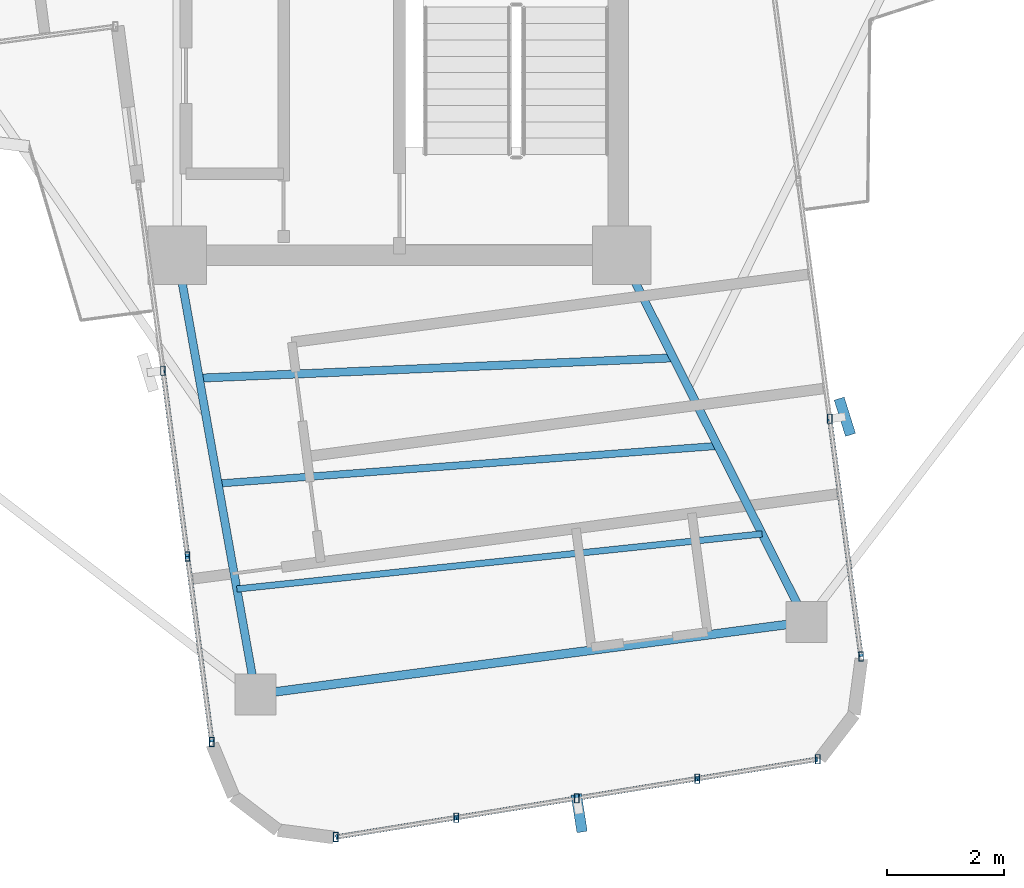
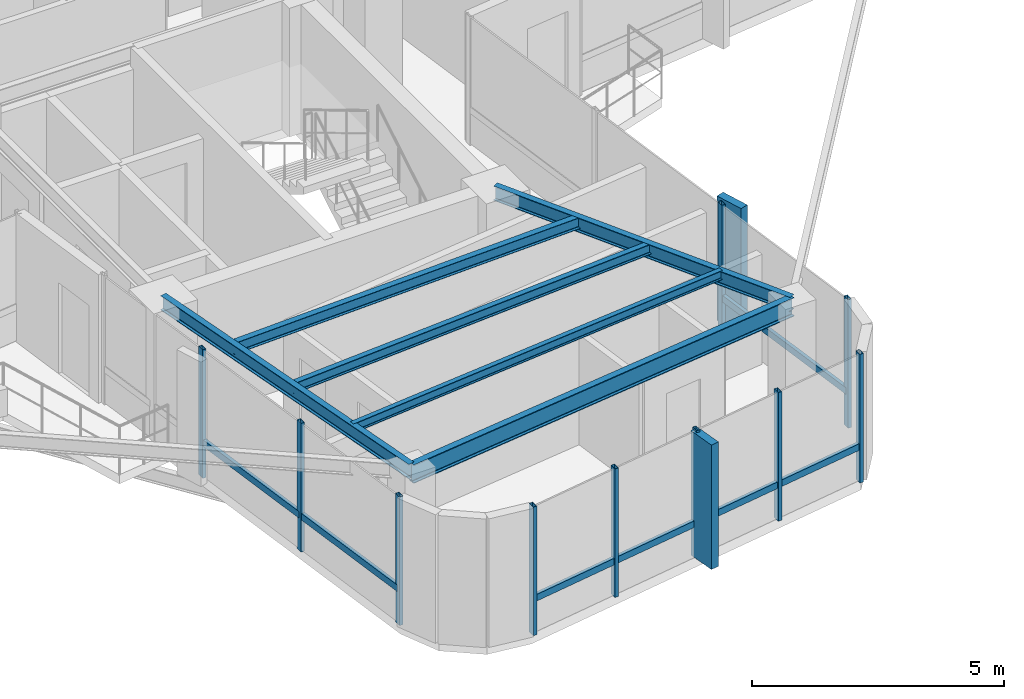
# One storey, part 4 of 22: 19 members, 6 beams, 3 elements without a shape of their own.
"""IFC4 building model written with IfcOpenShell, lengths in metres."""

from ifc_helpers import new_model, si_unit, direction, frame, origin, origin_2d, place, context, subcontext, project, spatial, rectangle, hollow_rectangle, i_section, extrude, source, transform, mapped, material, material_profile, profile_set, type_object, element, aggregate, save


model = new_model("IFC4")

# Units and contexts
model_context = context("Model", 3, precision=1e-05, world=origin(), true_north=direction((0.0, 1.0)))
body_context = subcontext(model_context, "Body", "Model", "MODEL_VIEW")
ifc_project = project(units=[si_unit("LENGTHUNIT", "METRE"), si_unit("AREAUNIT", "SQUARE_METRE"), si_unit("VOLUMEUNIT", "CUBIC_METRE"), si_unit("PLANEANGLEUNIT", "RADIAN"), si_unit("MASSUNIT", "GRAM", prefix="KILO")], contexts=[model_context])

# Site, building, storey
site_placement = place(None, origin())
site = spatial("IfcSite", under=ifc_project, at=site_placement, CompositionType="ELEMENT")
building_placement = place(site_placement, origin())
building = spatial("IfcBuilding", under=site, at=building_placement, Name="Sahyath Konkavel Grand Hotel", CompositionType="ELEMENT")
storey_placement = place(building_placement, frame((0.0, 0.0, 257.89990234375)))
storey = spatial("IfcBuildingStorey", under=building, at=storey_placement, Name="L72", CompositionType="ELEMENT", Elevation=257.89990234375)

# Beams
ifc_material_1 = material(Name="Steel E350", Category="steel")
ifc_material_profile_1 = material_profile(ifc_material_1, i_section(OverallWidth=0.139892578125, OverallDepth=0.35009765625, WebThickness=0.008056640625, FlangeThickness=0.01416015625, FilletRadius=0.013916015625, at=origin_2d()), Name="ISMB 350")
ifc_profile_set_1 = profile_set([ifc_material_profile_1], Name="Steel E350")
beam_type_1 = type_object("IfcBeamType", Name="BM-ISMB350", PredefinedType="BEAM", material=ifc_profile_set_1)
shared_shape_1 = source(origin(), body_context, "Body", "SweptSolid", [
    extrude(i_section(OverallWidth=0.139892578125, OverallDepth=0.35009765625, WebThickness=0.008056640625, FlangeThickness=0.01416015625, FilletRadius=0.013916015625, at=origin_2d()), origin(), (0.0, 0.0, 1.0), 7.631103515625),
])
beam_1_placement = place(storey_placement, frame((-3.800048828125, -10.199951171875, 2.93505859375), z_axis=(0.175734167088, -0.984437658015, 0.0), x_axis=(0.984437658015, 0.175734167088, 0.0)))
element("IfcBeam", 1, at=beam_1_placement, inside=storey, type_object=beam_type_1, Name="L72 Cruciform Radial Girder SA", PredefinedType="BEAM", context=body_context, shape_type="MappedRepresentation", body=[
    mapped(shared_shape_1, transform((0.0, 0.0, 0.0), scale=1.0)),
])
shared_shape_2 = source(origin(), body_context, "Body", "SweptSolid", [
    extrude(i_section(OverallWidth=0.139892578125, OverallDepth=0.35009765625, WebThickness=0.008056640625, FlangeThickness=0.01416015625, FilletRadius=0.013916015625, at=origin_2d()), origin(), (0.0, 0.0, 1.0), 7.0234375),
])
beam_2_placement = place(storey_placement, frame((3.800048828125, -10.199951171875, 2.93505859375), z_axis=(0.449881274382, -0.893088371305, 0.0), x_axis=(0.893088371305, 0.449881274382, 0.0)))
element("IfcBeam", 2, at=beam_2_placement, inside=storey, type_object=beam_type_1, Name="L72 Cruciform Radial Girder SB", PredefinedType="BEAM", context=body_context, shape_type="MappedRepresentation", body=[
    mapped(shared_shape_2, transform((0.0, 0.0, 0.0), scale=1.0)),
])
ifc_material_profile_2 = material_profile(ifc_material_1, i_section(OverallWidth=0.14990234375, OverallDepth=0.449951171875, WebThickness=0.009521484375, FlangeThickness=0.017333984375, FilletRadius=0.014892578125, at=origin_2d()), Name="ISMB 450")
ifc_profile_set_2 = profile_set([ifc_material_profile_2], Name="Steel E350")
beam_type_2 = type_object("IfcBeamType", Name="BM-ISMB450", PredefinedType="BEAM", material=ifc_profile_set_2)
shared_shape_3 = source(origin(), body_context, "Body", "SweptSolid", [
    extrude(i_section(OverallWidth=0.14990234375, OverallDepth=0.449951171875, WebThickness=0.009521484375, FlangeThickness=0.017333984375, FilletRadius=0.014892578125, at=origin_2d()), origin(), (0.0, 0.0, 1.0), 9.5),
])
beam_3_placement = place(storey_placement, frame((-2.458984375, -17.71240234375, 2.885009765625), z_axis=(0.991444933556, 0.130525643939, 0.0), x_axis=(-0.130525643939, 0.991444933556, 0.0)))
element("IfcBeam", 3, at=beam_3_placement, inside=storey, type_object=beam_type_2, Name="L72 Wing Tip Edge Beam S", PredefinedType="BEAM", context=body_context, shape_type="MappedRepresentation", body=[
    mapped(shared_shape_3, transform((0.0, 0.0, 0.0), scale=1.0)),
])
ifc_material_profile_3 = material_profile(ifc_material_1, i_section(OverallWidth=0.139892578125, OverallDepth=0.27490234375, WebThickness=0.00634765625, FlangeThickness=0.0087890625, FilletRadius=0.012939453125, at=origin_2d()), Name="ISLB 275")
ifc_profile_set_3 = profile_set([ifc_material_profile_3], Name="Steel E350")
beam_type_3 = type_object("IfcBeamType", Name="BM-ISLB275", PredefinedType="BEAM", material=ifc_profile_set_3)
shared_shape_4 = source(origin(), body_context, "Body", "SweptSolid", [
    extrude(i_section(OverallWidth=0.139892578125, OverallDepth=0.27490234375, WebThickness=0.00634765625, FlangeThickness=0.0087890625, FilletRadius=0.012939453125, at=origin_2d()), origin(), (0.0, 0.0, 1.0), 8.11669921875),
])
beam_4_placement = place(storey_placement, frame((-3.424560546875, -12.303466796875, 2.97265625), z_axis=(0.999084879956, 0.042771516718, 0.0), x_axis=(-0.042771516718, 0.999084879956, 0.0)))
element("IfcBeam", 4, at=beam_4_placement, inside=storey, type_object=beam_type_3, Name="L72 Secondary Floor Beam S-1", PredefinedType="BEAM", context=body_context, shape_type="MappedRepresentation", body=[
    mapped(shared_shape_4, transform((0.0, 0.0, 0.0), scale=1.0)),
])
ifc_material_profile_4 = material_profile(ifc_material_1, i_section(OverallWidth=0.125, OverallDepth=0.25, WebThickness=0.0068359375, FlangeThickness=0.012451171875, FilletRadius=0.012939453125, at=origin_2d()), Name="ISMB 250")
ifc_profile_set_4 = profile_set([ifc_material_profile_4], Name="Steel E350")
beam_type_4 = type_object("IfcBeamType", Name="BM-ISMB250", PredefinedType="BEAM", material=ifc_profile_set_4)
shared_shape_5 = source(origin(), body_context, "Body", "SweptSolid", [
    extrude(i_section(OverallWidth=0.125, OverallDepth=0.25, WebThickness=0.0068359375, FlangeThickness=0.012451171875, FilletRadius=0.012939453125, at=origin_2d()), origin(), (0.0, 0.0, 1.0), 8.570068359375),
])
beam_5_placement = place(storey_placement, frame((-3.102783203125, -14.1064453125, 2.985107421875), z_axis=(0.997165854664, 0.075234688098, 0.0), x_axis=(-0.075234688098, 0.997165854664, 0.0)))
element("IfcBeam", 5, at=beam_5_placement, inside=storey, type_object=beam_type_4, Name="L72 Secondary Floor Beam S-2", PredefinedType="BEAM", context=body_context, shape_type="MappedRepresentation", body=[
    mapped(shared_shape_5, transform((0.0, 0.0, 0.0), scale=1.0)),
])
ifc_material_profile_5 = material_profile(ifc_material_1, i_section(OverallWidth=0.110107421875, OverallDepth=0.22509765625, WebThickness=0.006591796875, FlangeThickness=0.01171875, FilletRadius=0.011962890625, at=origin_2d()), Name="ISMB 225")
ifc_profile_set_5 = profile_set([ifc_material_profile_5], Name="Steel E350")
beam_type_5 = type_object("IfcBeamType", Name="BM-ISMB225", PredefinedType="BEAM", material=ifc_profile_set_5)
shared_shape_6 = source(origin(), body_context, "Body", "SweptSolid", [
    extrude(i_section(OverallWidth=0.110107421875, OverallDepth=0.22509765625, WebThickness=0.006591796875, FlangeThickness=0.01171875, FilletRadius=0.011962890625, at=origin_2d()), origin(), (0.0, 0.0, 1.0), 9.03173828125),
])
beam_6_placement = place(storey_placement, frame((-2.781005859375, -15.909423828125, 2.99755859375), z_axis=(0.99454153435, 0.104341441688, 0.0), x_axis=(-0.104341441688, 0.99454153435, 0.0)))
element("IfcBeam", 6, at=beam_6_placement, inside=storey, type_object=beam_type_5, Name="L72 Secondary Floor Beam S-3", PredefinedType="BEAM", context=body_context, shape_type="MappedRepresentation", body=[
    mapped(shared_shape_6, transform((0.0, 0.0, 0.0), scale=1.0)),
])

# Curtain wall, member
ifc_material_2 = material(Name="Anodised Bronze Aluminium & Low-E Glazing", Category="aluminium")
curtain_wall_type = type_object("IfcCurtainWallType", Name="CW-ZONE4", PredefinedType="NOTDEFINED", material=ifc_material_2)
curtain_wall_1_placement = place(storey_placement, origin())
curtain_wall_1 = element("IfcCurtainWall", 7, at=curtain_wall_1_placement, inside=storey, type_object=curtain_wall_type, Name="L72 Unitised Curtain Wall F28", PredefinedType="NOTDEFINED")
ifc_material_3 = material(Name="Warm Buff Sandstone Cladding on Concrete C50/60", Category="masonry")
ifc_material_profile_6 = material_profile(ifc_material_3, rectangle(XDim=0.179931640625, YDim=0.64990234375, at=origin_2d()), Name="FIN 180x650")
ifc_profile_set_6 = profile_set([ifc_material_profile_6], Name="Warm Buff Sandstone Cladding on Concrete C50/60")
member_type_1 = type_object("IfcMemberType", Name="FIN-SANDSTONE-650", PredefinedType="MULLION", material=ifc_profile_set_6)
shared_shape_7 = source(origin(), body_context, "Body", "SweptSolid", [
    extrude(rectangle(XDim=0.179931640625, YDim=0.64990234375, at=origin_2d()), origin(), (0.0, 0.0, 1.0), 3.010009765625),
])
member_1_placement = place(storey_placement, frame((3.073486328125, -19.74365234375, 0.050048828125), z_axis=(0.0, 0.0, 1.0), x_axis=(0.987905801468, 0.155055239918, 0.0)))
member_1 = element("IfcMember", 8, at=member_1_placement, type_object=member_type_1, Name="L72 Sandstone Vertical Solar Fin FIN F28-2", PredefinedType="MULLION", context=body_context, shape_type="MappedRepresentation", body=[
    mapped(shared_shape_7, transform((0.0, 0.0, 0.0), scale=1.0)),
])

curtain_wall_2_placement = place(storey_placement, origin())
curtain_wall_2 = element("IfcCurtainWall", 9, at=curtain_wall_2_placement, inside=storey, type_object=curtain_wall_type, Name="L72 Unitised Curtain Wall F31", PredefinedType="NOTDEFINED")
member_2_placement = place(storey_placement, frame((7.6171875, -12.96337890625, 0.050048828125), z_axis=(0.0, 0.0, 1.0), x_axis=(0.954448865814, 0.298374534012, 0.0)))
member_2 = element("IfcMember", 10, at=member_2_placement, type_object=member_type_1, Name="L72 Sandstone Vertical Solar Fin FIN F31-1", PredefinedType="MULLION", context=body_context, shape_type="MappedRepresentation", body=[
    mapped(shared_shape_7, transform((0.0, 0.0, 0.0), scale=1.0)),
])

# Curtain wall, members
curtain_wall_3_placement = place(storey_placement, origin())
curtain_wall_3 = element("IfcCurtainWall", 11, at=curtain_wall_3_placement, inside=storey, type_object=curtain_wall_type, Name="L72 Unitised Curtain Wall F24", PredefinedType="NOTDEFINED")
ifc_material_4 = material(Name="Anodised Bronze Aluminium", Category="aluminium")
ifc_material_profile_7 = material_profile(ifc_material_4, hollow_rectangle(XDim=0.080078125, YDim=0.159912109375, WallThickness=0.006103515625, at=origin_2d()), Name="RHS 160x80x6")
ifc_profile_set_7 = profile_set([ifc_material_profile_7], Name="Anodised Bronze Aluminium")
member_type_2 = type_object("IfcMemberType", Name="CW-MUL-160", PredefinedType="MULLION", material=ifc_profile_set_7)
shared_shape_8 = source(origin(), body_context, "Body", "SweptSolid", [
    extrude(hollow_rectangle(XDim=0.080078125, YDim=0.159912109375, WallThickness=0.006103515625, at=origin_2d()), origin(), (0.0, 0.0, 1.0), 3.110107421875),
])
member_3_placement = place(storey_placement, frame((-4.04541015625, -12.175537109375, 0.0), z_axis=(0.0, 0.0, 1.0), x_axis=(1.0, 0.0, 0.0)))
member_3 = element("IfcMember", 12, at=member_3_placement, type_object=member_type_2, Name="L72 Curtain Wall Mullion F24-1", PredefinedType="MULLION", context=body_context, shape_type="MappedRepresentation", body=[
    mapped(shared_shape_8, transform((0.0, 0.0, 0.0), scale=1.0)),
])
member_4_placement = place(storey_placement, frame((-3.627197265625, -15.351318359375, 0.0), z_axis=(0.0, 0.0, 1.0), x_axis=(1.0, 0.0, 0.0)))
member_4 = element("IfcMember", 13, at=member_4_placement, type_object=member_type_2, Name="L72 Curtain Wall Mullion F24-2", PredefinedType="MULLION", context=body_context, shape_type="MappedRepresentation", body=[
    mapped(shared_shape_8, transform((0.0, 0.0, 0.0), scale=1.0)),
])
member_5_placement = place(storey_placement, frame((-3.208984375, -18.52734375, 0.0), z_axis=(0.0, 0.0, 1.0), x_axis=(1.0, 0.0, 0.0)))
member_5 = element("IfcMember", 14, at=member_5_placement, type_object=member_type_2, Name="L72 Curtain Wall Mullion F24-3", PredefinedType="MULLION", context=body_context, shape_type="MappedRepresentation", body=[
    mapped(shared_shape_8, transform((0.0, 0.0, 0.0), scale=1.0)),
])

# Member
member_6_placement = place(storey_placement, frame((-1.0888671875, -20.1533203125, 0.0), z_axis=(0.0, 0.0, 1.0), x_axis=(1.0, 0.0, 0.0)))
member_6 = element("IfcMember", 15, at=member_6_placement, type_object=member_type_2, Name="L72 Curtain Wall Mullion F28-0", PredefinedType="MULLION", context=body_context, shape_type="MappedRepresentation", body=[
    mapped(shared_shape_8, transform((0.0, 0.0, 0.0), scale=1.0)),
])

member_7_placement = place(storey_placement, frame((0.9716796875, -19.8203125, 0.0), z_axis=(0.0, 0.0, 1.0), x_axis=(1.0, 0.0, 0.0)))
member_7 = element("IfcMember", 16, at=member_7_placement, type_object=member_type_2, Name="L72 Curtain Wall Mullion F28-1", PredefinedType="MULLION", context=body_context, shape_type="MappedRepresentation", body=[
    mapped(shared_shape_8, transform((0.0, 0.0, 0.0), scale=1.0)),
])

member_8_placement = place(storey_placement, frame((3.031982421875, -19.487060546875, 0.0), z_axis=(0.0, 0.0, 1.0), x_axis=(1.0, 0.0, 0.0)))
member_8 = element("IfcMember", 17, at=member_8_placement, type_object=member_type_2, Name="L72 Curtain Wall Mullion F28-2", PredefinedType="MULLION", context=body_context, shape_type="MappedRepresentation", body=[
    mapped(shared_shape_8, transform((0.0, 0.0, 0.0), scale=1.0)),
])

member_9_placement = place(storey_placement, frame((5.09228515625, -19.15380859375, 0.0), z_axis=(0.0, 0.0, 1.0), x_axis=(1.0, 0.0, 0.0)))
member_9 = element("IfcMember", 18, at=member_9_placement, type_object=member_type_2, Name="L72 Curtain Wall Mullion F28-3", PredefinedType="MULLION", context=body_context, shape_type="MappedRepresentation", body=[
    mapped(shared_shape_8, transform((0.0, 0.0, 0.0), scale=1.0)),
])

member_10_placement = place(storey_placement, frame((7.15283203125, -18.82080078125, 0.0), z_axis=(0.0, 0.0, 1.0), x_axis=(1.0, 0.0, 0.0)))
member_10 = element("IfcMember", 19, at=member_10_placement, type_object=member_type_2, Name="L72 Curtain Wall Mullion F28-4", PredefinedType="MULLION", context=body_context, shape_type="MappedRepresentation", body=[
    mapped(shared_shape_8, transform((0.0, 0.0, 0.0), scale=1.0)),
])

member_11_placement = place(storey_placement, frame((7.89501953125, -17.0654296875, 0.0), z_axis=(0.0, 0.0, 1.0), x_axis=(1.0, 0.0, 0.0)))
member_11 = element("IfcMember", 20, at=member_11_placement, type_object=member_type_2, Name="L72 Curtain Wall Mullion F31-0", PredefinedType="MULLION", context=body_context, shape_type="MappedRepresentation", body=[
    mapped(shared_shape_8, transform((0.0, 0.0, 0.0), scale=1.0)),
])

member_12_placement = place(storey_placement, frame((7.359619140625, -12.997314453125, 0.0), z_axis=(0.0, 0.0, 1.0), x_axis=(1.0, 0.0, 0.0)))
member_12 = element("IfcMember", 21, at=member_12_placement, type_object=member_type_2, Name="L72 Curtain Wall Mullion F31-1", PredefinedType="MULLION", context=body_context, shape_type="MappedRepresentation", body=[
    mapped(shared_shape_8, transform((0.0, 0.0, 0.0), scale=1.0)),
])

ifc_material_profile_8 = material_profile(ifc_material_4, hollow_rectangle(XDim=0.080078125, YDim=0.159912109375, WallThickness=0.006103515625, at=origin_2d()), Name="RHS 160x80x6")
ifc_profile_set_8 = profile_set([ifc_material_profile_8], Name="Anodised Bronze Aluminium")
member_type_3 = type_object("IfcMemberType", Name="CW-TRN-160", PredefinedType="USERDEFINED", material=ifc_profile_set_8)
shared_shape_9 = source(origin(), body_context, "Body", "SweptSolid", [
    extrude(hollow_rectangle(XDim=0.080078125, YDim=0.159912109375, WallThickness=0.006103515625, at=origin_2d()), origin(), (0.0, 0.0, 1.0), 3.203369140625),
])
member_13_placement = place(storey_placement, frame((-3.627197265625, -15.351318359375, 0.85009765625), z_axis=(0.130551112835, -0.991441580194, 0.0), x_axis=(0.991441580194, 0.130551112835, 0.0)))
member_13 = element("IfcMember", 22, at=member_13_placement, type_object=member_type_3, Name="L72 Curtain Wall Transom F24-2-spandrel", ObjectType="TRANSOM", PredefinedType="USERDEFINED", context=body_context, shape_type="MappedRepresentation", body=[
    mapped(shared_shape_9, transform((0.0, 0.0, 0.0), scale=1.0)),
])

shared_shape_10 = source(origin(), body_context, "Body", "SweptSolid", [
    extrude(hollow_rectangle(XDim=0.080078125, YDim=0.159912109375, WallThickness=0.006103515625, at=origin_2d()), origin(), (0.0, 0.0, 1.0), 3.203125),
])
member_14_placement = place(storey_placement, frame((-4.04541015625, -12.175537109375, 0.85009765625), z_axis=(0.13056097798, -0.991440281121, 0.0), x_axis=(0.991440281121, 0.13056097798, 0.0)))
member_14 = element("IfcMember", 23, at=member_14_placement, type_object=member_type_3, Name="L72 Curtain Wall Transom F24-1-spandrel", ObjectType="TRANSOM", PredefinedType="USERDEFINED", context=body_context, shape_type="MappedRepresentation", body=[
    mapped(shared_shape_10, transform((0.0, 0.0, 0.0), scale=1.0)),
])

aggregate(curtain_wall_3, [member_3, member_4, member_5, member_14, member_13])

shared_shape_11 = source(origin(), body_context, "Body", "SweptSolid", [
    extrude(hollow_rectangle(XDim=0.080078125, YDim=0.159912109375, WallThickness=0.006103515625, at=origin_2d()), origin(), (0.0, 0.0, 1.0), 2.08740234375),
])
member_15_placement = place(storey_placement, frame((-1.0888671875, -20.1533203125, 0.85009765625), z_axis=(0.98719124923, 0.159541334591, 0.0), x_axis=(-0.159541334591, 0.98719124923, 0.0)))
member_15 = element("IfcMember", 24, at=member_15_placement, type_object=member_type_3, Name="L72 Curtain Wall Transom F28-0-spandrel", ObjectType="TRANSOM", PredefinedType="USERDEFINED", context=body_context, shape_type="MappedRepresentation", body=[
    mapped(shared_shape_11, transform((0.0, 0.0, 0.0), scale=1.0)),
])

member_16_placement = place(storey_placement, frame((5.09228515625, -19.15380859375, 0.85009765625), z_axis=(0.98719124923, 0.159541334591, 0.0), x_axis=(-0.159541334591, 0.98719124923, 0.0)))
member_16 = element("IfcMember", 25, at=member_16_placement, type_object=member_type_3, Name="L72 Curtain Wall Transom F28-3-spandrel", ObjectType="TRANSOM", PredefinedType="USERDEFINED", context=body_context, shape_type="MappedRepresentation", body=[
    mapped(shared_shape_11, transform((0.0, 0.0, 0.0), scale=1.0)),
])

shared_shape_12 = source(origin(), body_context, "Body", "SweptSolid", [
    extrude(hollow_rectangle(XDim=0.080078125, YDim=0.159912109375, WallThickness=0.006103515625, at=origin_2d()), origin(), (0.0, 0.0, 1.0), 2.087158203125),
])
member_17_placement = place(storey_placement, frame((0.9716796875, -19.8203125, 0.85009765625), z_axis=(0.98716983924, 0.159673756436, 0.0), x_axis=(-0.159673756436, 0.98716983924, 0.0)))
member_17 = element("IfcMember", 26, at=member_17_placement, type_object=member_type_3, Name="L72 Curtain Wall Transom F28-1-spandrel", ObjectType="TRANSOM", PredefinedType="USERDEFINED", context=body_context, shape_type="MappedRepresentation", body=[
    mapped(shared_shape_12, transform((0.0, 0.0, 0.0), scale=1.0)),
])

member_18_placement = place(storey_placement, frame((3.031982421875, -19.487060546875, 0.85009765625), z_axis=(0.98716983924, 0.159673756436, 0.0), x_axis=(-0.159673756436, 0.98716983924, 0.0)))
member_18 = element("IfcMember", 27, at=member_18_placement, type_object=member_type_3, Name="L72 Curtain Wall Transom F28-2-spandrel", ObjectType="TRANSOM", PredefinedType="USERDEFINED", context=body_context, shape_type="MappedRepresentation", body=[
    mapped(shared_shape_12, transform((0.0, 0.0, 0.0), scale=1.0)),
])

aggregate(curtain_wall_1, [member_6, member_7, member_8, member_1, member_9, member_10, member_15, member_17, member_18, member_16])

shared_shape_13 = source(origin(), body_context, "Body", "SweptSolid", [
    extrude(hollow_rectangle(XDim=0.080078125, YDim=0.159912109375, WallThickness=0.006103515625, at=origin_2d()), origin(), (0.0, 0.0, 1.0), 4.103271484375),
])
member_19_placement = place(storey_placement, frame((7.89501953125, -17.0654296875, 0.85009765625), z_axis=(-0.130483756275, 0.991450447248, 0.0), x_axis=(-0.991450447248, -0.130483756275, 0.0)))
member_19 = element("IfcMember", 28, at=member_19_placement, type_object=member_type_3, Name="L72 Curtain Wall Transom F31-0-spandrel", ObjectType="TRANSOM", PredefinedType="USERDEFINED", context=body_context, shape_type="MappedRepresentation", body=[
    mapped(shared_shape_13, transform((0.0, 0.0, 0.0), scale=1.0)),
])

aggregate(curtain_wall_2, [member_11, member_12, member_2, member_19])

save(model, "model.ifc")
